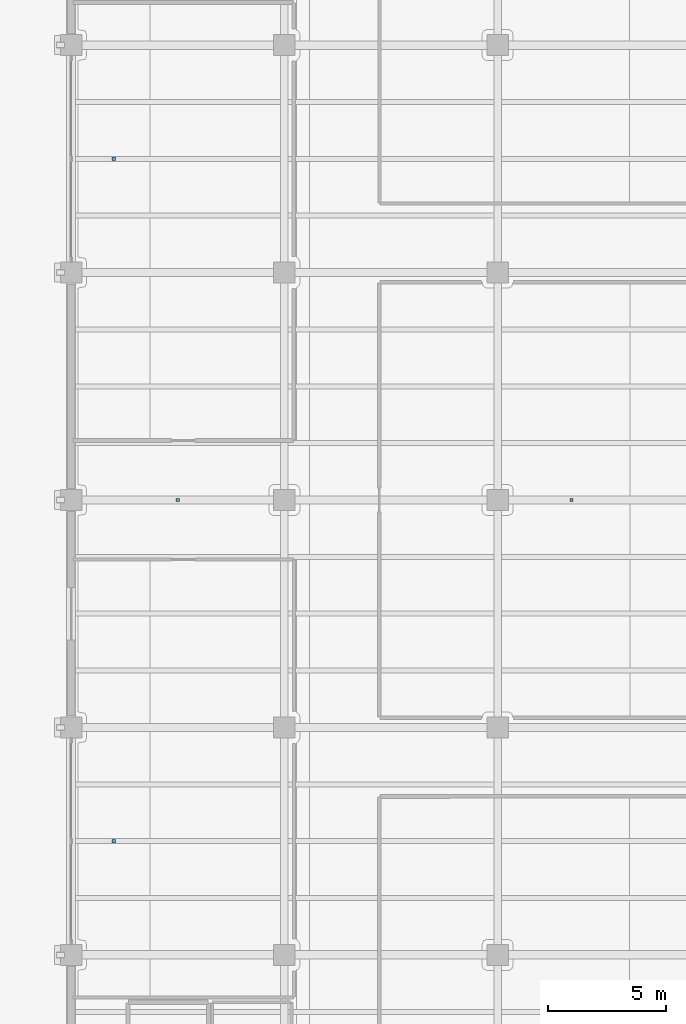
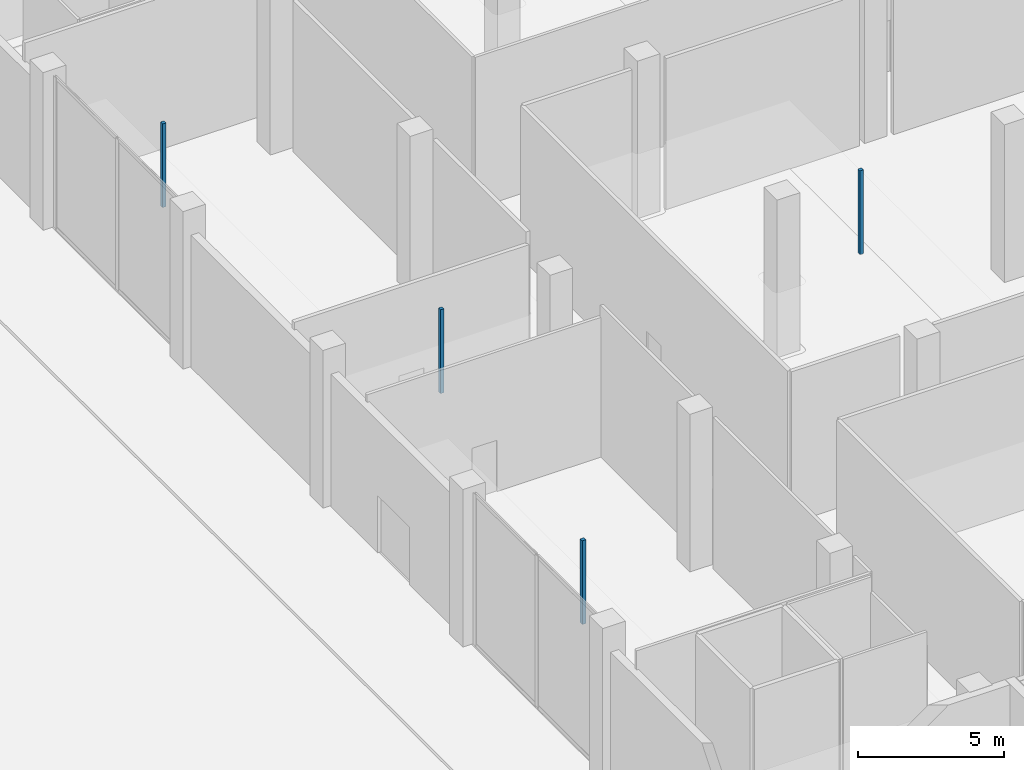
# One storey, part 37 of 45: 4 discrete accessories.
"""IFC4 building model written with IfcOpenShell, lengths in metres."""

from ifc_helpers import new_model, si_unit, direction, frame, origin, origin_2d, place, context, subcontext, project, spatial, rectangle, extrude, material, type_object, element, save


model = new_model("IFC4")

# Units and contexts
model_context = context("Model", 3, precision=1e-05, world=origin(), true_north=direction((0.0, 1.0)))
body_context = subcontext(model_context, "Body", "Model", "MODEL_VIEW")
ifc_project = project(units=[si_unit("LENGTHUNIT", "METRE"), si_unit("AREAUNIT", "SQUARE_METRE"), si_unit("VOLUMEUNIT", "CUBIC_METRE"), si_unit("PLANEANGLEUNIT", "RADIAN"), si_unit("MASSUNIT", "GRAM", prefix="KILO")], contexts=[model_context])

# Site, building, storey
site_placement = place(None, origin())
site = spatial("IfcSite", under=ifc_project, at=site_placement, CompositionType="ELEMENT")
building_placement = place(site_placement, origin())
building = spatial("IfcBuilding", under=site, at=building_placement, Name="Qorvath Tower", CompositionType="ELEMENT")
storey_placement = place(building_placement, origin())
storey = spatial("IfcBuildingStorey", under=building, at=storey_placement, Name="L00", CompositionType="ELEMENT", Elevation=0.0)

# Discrete accessories
ifc_material = material(Name="Galvanised steel bracket", Category="steel")
discrete_accessory_type = type_object("IfcDiscreteAccessoryType", Name="DA-BRACKET", PredefinedType="BRACKET", material=ifc_material)
for number, where, z_axis, x_axis, name in (
    (1, (36.89990234375, 0.0, 2.85986328125), (0.0, 0.0, 1.0), (1.0, 0.0, 0.0), "Acoustic Ceiling Suspension Hanger LB-L00-005"),
    (2, (34.203369140625, 14.39990234375, 2.85986328125), (0.0, 0.0, 1.0), (1.0, 0.0, 0.0), "Acoustic Ceiling Suspension Hanger LB-L00-006"),
    (3, (53.517578125, 0.0, 2.85986328125), (0.0, 0.0, 1.0), (1.0, 0.0, 0.0), "Acoustic Ceiling Suspension Hanger LB-L00-009"),
    (4, (34.203369140625, -14.39990234375, 2.85986328125), (0.0, 0.0, 1.0), (1.0, 0.0, 0.0), "Acoustic Ceiling Suspension Hanger LB-L00-010"),
):
    element("IfcDiscreteAccessory", number, at=place(storey_placement, frame(where, z_axis=z_axis, x_axis=x_axis)), inside=storey, type_object=discrete_accessory_type, Name=name, PredefinedType="NOTDEFINED", context=body_context, shape_type="SweptSolid", body=[
        extrude(rectangle(XDim=0.139892578125, YDim=0.139892578125, at=origin_2d()), origin(), (0.0, 0.0, 1.0), 3.510009765625),
    ])

save(model, "model.ifc")
